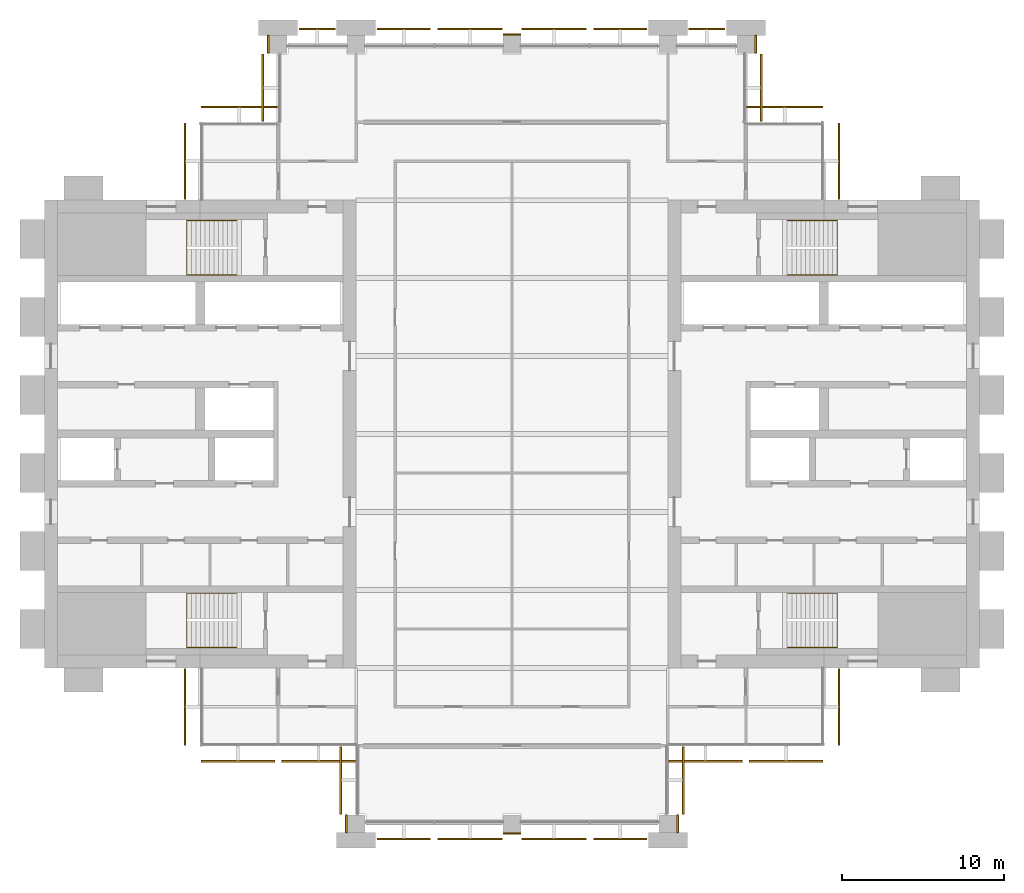
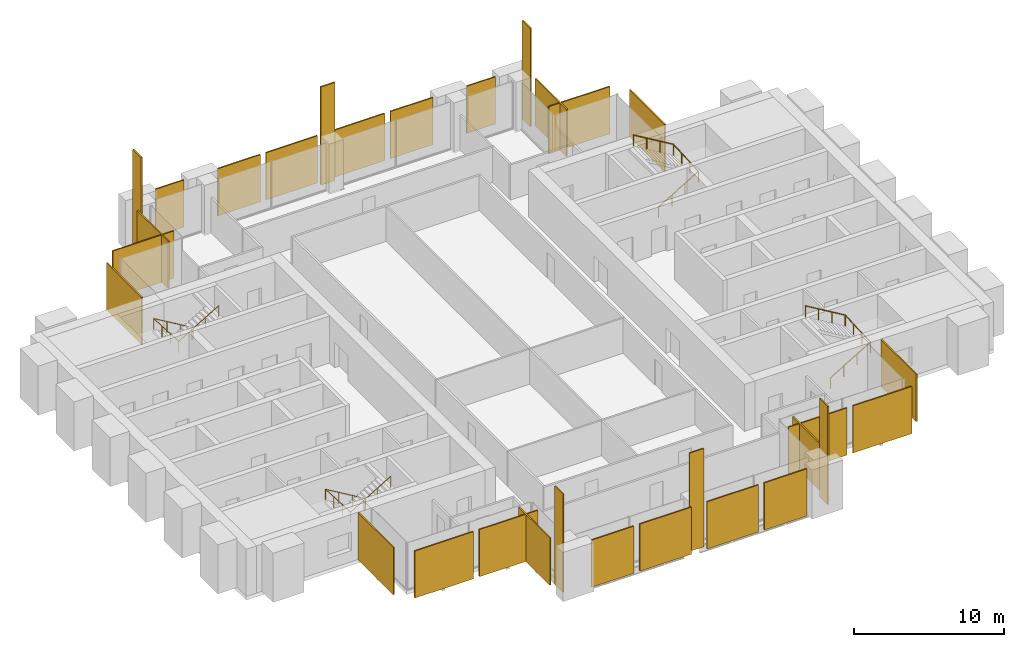
# One storey, part 13 of 13: 30 coverings, 4 railings.
"""IFC4 building model written with IfcOpenShell, lengths in metres."""

from ifc_helpers import new_model, si_unit, direction, frame, origin, origin_2d, place, context, subcontext, project, spatial, polyline, rectangle, circle, outline, extrude, material, layer, layer_set, type_object, element, save


model = new_model("IFC4")

# Units and contexts
model_context = context("Model", 3, precision=1e-05, world=origin(), true_north=direction((0.0, 1.0)))
body_context = subcontext(model_context, "Body", "Model", "MODEL_VIEW")
ifc_project = project(units=[si_unit("LENGTHUNIT", "METRE"), si_unit("AREAUNIT", "SQUARE_METRE"), si_unit("VOLUMEUNIT", "CUBIC_METRE"), si_unit("PLANEANGLEUNIT", "RADIAN"), si_unit("MASSUNIT", "GRAM", prefix="KILO")], contexts=[model_context])

# Site, building, storey
site_placement = place(None, origin())
site = spatial("IfcSite", under=ifc_project, at=site_placement, CompositionType="ELEMENT")
building_placement = place(site_placement, origin())
building = spatial("IfcBuilding", under=site, at=building_placement, Name="Baori Bourse Tower", CompositionType="ELEMENT")
storey_placement = place(building_placement, frame((0.0, 0.0, 193.199951171875)))
storey = spatial("IfcBuildingStorey", under=building, at=storey_placement, Name="L41", CompositionType="ELEMENT", Elevation=193.199951171875)

# Railings
ifc_material_1 = material(Name="Powder-coated steel balustrade", Category="steel")
railing_type = type_object("IfcRailingType", Name="Core stair handrail", PredefinedType="HANDRAIL", material=ifc_material_1)
railing_1_placement = place(storey_placement, frame((11.85009765625, 14.199951171875, 0.166748046875)))
element("IfcRailing", 1, at=railing_1_placement, inside=storey, type_object=railing_type, Name="L41 ST1 stair handrail 1", PredefinedType="HANDRAIL", context=body_context, shape_type="SweptSolid", body=[
    extrude(circle(Radius=0.02392578125, at=origin_2d()), frame((0.0, 0.0, 0.8759765625), z_axis=(-0.859308565015, 0.0, 0.511457515432), x_axis=(0.0, -1.0, 0.0)), (0.0, 0.0, 1.0), 3.58447265625),
    extrude(circle(Radius=0.02392578125, at=origin_2d()), frame((-3.080078125, 0.0, 2.708984375), z_axis=(0.0, -0.998763387249, 0.04971615724), x_axis=(1.0, 0.0, 0.0)), (0.0, 0.0, 1.0), 3.35400390625),
    extrude(circle(Radius=0.02392578125, at=origin_2d()), frame((-3.080078125, -3.349853515625, 2.8759765625), z_axis=(0.859308565015, 0.0, 0.511457515432), x_axis=(0.0, 1.0, 0.0)), (0.0, 0.0, 1.0), 3.58447265625),
    extrude(circle(Radius=0.02099609375, at=origin_2d()), origin(), (0.0, 0.0, 1.0), 0.851806640625),
    extrude(circle(Radius=0.02099609375, at=origin_2d()), frame((-1.026611328125, 0.0, 0.611083984375)), (0.0, 0.0, 1.0), 0.851806640625),
    extrude(circle(Radius=0.02099609375, at=origin_2d()), frame((-2.053466796875, 0.0, 1.22216796875)), (0.0, 0.0, 1.0), 0.851806640625),
    extrude(circle(Radius=0.02099609375, at=origin_2d()), frame((-3.080078125, 0.0, 1.833251953125)), (0.0, 0.0, 1.0), 0.851806640625),
    extrude(circle(Radius=0.02099609375, at=origin_2d()), frame((-3.080078125, -1.11669921875, 1.888916015625)), (0.0, 0.0, 1.0), 0.851806640625),
    extrude(circle(Radius=0.02099609375, at=origin_2d()), frame((-3.080078125, -2.233154296875, 1.9443359375)), (0.0, 0.0, 1.0), 0.851806640625),
    extrude(circle(Radius=0.02099609375, at=origin_2d()), frame((-3.080078125, -3.349853515625, 2.0)), (0.0, 0.0, 1.0), 0.851806640625),
    extrude(circle(Radius=0.02099609375, at=origin_2d()), frame((-2.053466796875, -3.349853515625, 2.611083984375)), (0.0, 0.0, 1.0), 0.851806640625),
    extrude(circle(Radius=0.02099609375, at=origin_2d()), frame((-1.026611328125, -3.349853515625, 3.22216796875)), (0.0, 0.0, 1.0), 0.851806640625),
    extrude(circle(Radius=0.02099609375, at=origin_2d()), frame((0.0, -3.349853515625, 3.833251953125)), (0.0, 0.0, 1.0), 0.851806640625),
])
railing_2_placement = place(storey_placement, frame((11.85009765625, 37.14990234375, 0.166748046875)))
element("IfcRailing", 2, at=railing_2_placement, inside=storey, type_object=railing_type, Name="L41 ST2 stair handrail 1", PredefinedType="HANDRAIL", context=body_context, shape_type="SweptSolid", body=[
    extrude(circle(Radius=0.02392578125, at=origin_2d()), frame((0.0, 0.0, 0.8759765625), z_axis=(-0.859308565015, 0.0, 0.511457515432), x_axis=(0.0, -1.0, 0.0)), (0.0, 0.0, 1.0), 3.58447265625),
    extrude(circle(Radius=0.02392578125, at=origin_2d()), frame((-3.080078125, 0.0, 2.708984375), z_axis=(0.0, -0.998763387249, 0.04971615724), x_axis=(1.0, 0.0, 0.0)), (0.0, 0.0, 1.0), 3.35400390625),
    extrude(circle(Radius=0.02392578125, at=origin_2d()), frame((-3.080078125, -3.349853515625, 2.8759765625), z_axis=(0.859308565015, 0.0, 0.511457515432), x_axis=(0.0, 1.0, 0.0)), (0.0, 0.0, 1.0), 3.58447265625),
    extrude(circle(Radius=0.02099609375, at=origin_2d()), origin(), (0.0, 0.0, 1.0), 0.851806640625),
    extrude(circle(Radius=0.02099609375, at=origin_2d()), frame((-1.026611328125, 0.0, 0.611083984375)), (0.0, 0.0, 1.0), 0.851806640625),
    extrude(circle(Radius=0.02099609375, at=origin_2d()), frame((-2.053466796875, 0.0, 1.22216796875)), (0.0, 0.0, 1.0), 0.851806640625),
    extrude(circle(Radius=0.02099609375, at=origin_2d()), frame((-3.080078125, 0.0, 1.833251953125)), (0.0, 0.0, 1.0), 0.851806640625),
    extrude(circle(Radius=0.02099609375, at=origin_2d()), frame((-3.080078125, -1.11669921875, 1.888916015625)), (0.0, 0.0, 1.0), 0.851806640625),
    extrude(circle(Radius=0.02099609375, at=origin_2d()), frame((-3.080078125, -2.233154296875, 1.9443359375)), (0.0, 0.0, 1.0), 0.851806640625),
    extrude(circle(Radius=0.02099609375, at=origin_2d()), frame((-3.080078125, -3.349853515625, 2.0)), (0.0, 0.0, 1.0), 0.851806640625),
    extrude(circle(Radius=0.02099609375, at=origin_2d()), frame((-2.053466796875, -3.349853515625, 2.611083984375)), (0.0, 0.0, 1.0), 0.851806640625),
    extrude(circle(Radius=0.02099609375, at=origin_2d()), frame((-1.026611328125, -3.349853515625, 3.22216796875)), (0.0, 0.0, 1.0), 0.851806640625),
    extrude(circle(Radius=0.02099609375, at=origin_2d()), frame((0.0, -3.349853515625, 3.833251953125)), (0.0, 0.0, 1.0), 0.851806640625),
])
railing_3_placement = place(storey_placement, frame((45.75, 10.85009765625, 0.166748046875)))
element("IfcRailing", 3, at=railing_3_placement, inside=storey, type_object=railing_type, Name="L41 ST3 stair handrail 1", PredefinedType="HANDRAIL", context=body_context, shape_type="SweptSolid", body=[
    extrude(circle(Radius=0.02392578125, at=origin_2d()), frame((0.0, 0.0, 0.8759765625), z_axis=(0.859308565015, 0.0, 0.511457515432), x_axis=(0.0, 1.0, 0.0)), (0.0, 0.0, 1.0), 3.58447265625),
    extrude(circle(Radius=0.02392578125, at=origin_2d()), frame((3.080078125, 0.0, 2.708984375), z_axis=(0.0, 0.998763387249, 0.04971615724), x_axis=(-1.0, 0.0, 0.0)), (0.0, 0.0, 1.0), 3.35400390625),
    extrude(circle(Radius=0.02392578125, at=origin_2d()), frame((3.080078125, 3.349853515625, 2.8759765625), z_axis=(-0.859308565015, 0.0, 0.511457515432), x_axis=(0.0, -1.0, 0.0)), (0.0, 0.0, 1.0), 3.58447265625),
    extrude(circle(Radius=0.02099609375, at=origin_2d()), origin(), (0.0, 0.0, 1.0), 0.851806640625),
    extrude(circle(Radius=0.02099609375, at=origin_2d()), frame((1.026611328125, 0.0, 0.611083984375)), (0.0, 0.0, 1.0), 0.851806640625),
    extrude(circle(Radius=0.02099609375, at=origin_2d()), frame((2.053466796875, 0.0, 1.22216796875)), (0.0, 0.0, 1.0), 0.851806640625),
    extrude(circle(Radius=0.02099609375, at=origin_2d()), frame((3.080078125, 0.0, 1.833251953125)), (0.0, 0.0, 1.0), 0.851806640625),
    extrude(circle(Radius=0.02099609375, at=origin_2d()), frame((3.080078125, 1.11669921875, 1.888916015625)), (0.0, 0.0, 1.0), 0.851806640625),
    extrude(circle(Radius=0.02099609375, at=origin_2d()), frame((3.080078125, 2.233154296875, 1.9443359375)), (0.0, 0.0, 1.0), 0.851806640625),
    extrude(circle(Radius=0.02099609375, at=origin_2d()), frame((3.080078125, 3.349853515625, 2.0)), (0.0, 0.0, 1.0), 0.851806640625),
    extrude(circle(Radius=0.02099609375, at=origin_2d()), frame((2.053466796875, 3.349853515625, 2.611083984375)), (0.0, 0.0, 1.0), 0.851806640625),
    extrude(circle(Radius=0.02099609375, at=origin_2d()), frame((1.026611328125, 3.349853515625, 3.22216796875)), (0.0, 0.0, 1.0), 0.851806640625),
    extrude(circle(Radius=0.02099609375, at=origin_2d()), frame((0.0, 3.349853515625, 3.833251953125)), (0.0, 0.0, 1.0), 0.851806640625),
])
railing_4_placement = place(storey_placement, frame((45.75, 33.800048828125, 0.166748046875)))
element("IfcRailing", 4, at=railing_4_placement, inside=storey, type_object=railing_type, Name="L41 ST4 stair handrail 1", PredefinedType="HANDRAIL", context=body_context, shape_type="SweptSolid", body=[
    extrude(circle(Radius=0.02392578125, at=origin_2d()), frame((0.0, 0.0, 0.8759765625), z_axis=(0.859308565015, 0.0, 0.511457515432), x_axis=(0.0, 1.0, 0.0)), (0.0, 0.0, 1.0), 3.58447265625),
    extrude(circle(Radius=0.02392578125, at=origin_2d()), frame((3.080078125, 0.0, 2.708984375), z_axis=(0.0, 0.998763387249, 0.04971615724), x_axis=(-1.0, 0.0, 0.0)), (0.0, 0.0, 1.0), 3.35400390625),
    extrude(circle(Radius=0.02392578125, at=origin_2d()), frame((3.080078125, 3.349853515625, 2.8759765625), z_axis=(-0.859308565015, 0.0, 0.511457515432), x_axis=(0.0, -1.0, 0.0)), (0.0, 0.0, 1.0), 3.58447265625),
    extrude(circle(Radius=0.02099609375, at=origin_2d()), origin(), (0.0, 0.0, 1.0), 0.851806640625),
    extrude(circle(Radius=0.02099609375, at=origin_2d()), frame((1.026611328125, 0.0, 0.611083984375)), (0.0, 0.0, 1.0), 0.851806640625),
    extrude(circle(Radius=0.02099609375, at=origin_2d()), frame((2.053466796875, 0.0, 1.22216796875)), (0.0, 0.0, 1.0), 0.851806640625),
    extrude(circle(Radius=0.02099609375, at=origin_2d()), frame((3.080078125, 0.0, 1.833251953125)), (0.0, 0.0, 1.0), 0.851806640625),
    extrude(circle(Radius=0.02099609375, at=origin_2d()), frame((3.080078125, 1.11669921875, 1.888916015625)), (0.0, 0.0, 1.0), 0.851806640625),
    extrude(circle(Radius=0.02099609375, at=origin_2d()), frame((3.080078125, 2.233154296875, 1.9443359375)), (0.0, 0.0, 1.0), 0.851806640625),
    extrude(circle(Radius=0.02099609375, at=origin_2d()), frame((3.080078125, 3.349853515625, 2.0)), (0.0, 0.0, 1.0), 0.851806640625),
    extrude(circle(Radius=0.02099609375, at=origin_2d()), frame((2.053466796875, 3.349853515625, 2.611083984375)), (0.0, 0.0, 1.0), 0.851806640625),
    extrude(circle(Radius=0.02099609375, at=origin_2d()), frame((1.026611328125, 3.349853515625, 3.22216796875)), (0.0, 0.0, 1.0), 0.851806640625),
    extrude(circle(Radius=0.02099609375, at=origin_2d()), frame((0.0, 3.349853515625, 3.833251953125)), (0.0, 0.0, 1.0), 0.851806640625),
])

# Coverings
ifc_material_2 = material(Name="Pale anodised aluminium", Category="aluminium")
ifc_layer_1 = layer(ifc_material_2, 0.10009765625)
ifc_layer_set_1 = layer_set([ifc_layer_1], Name="OS3 Outer skin screen panel")
covering_type_1 = type_object("IfcCoveringType", Name="OS3 Outer skin screen panel", PredefinedType="CLADDING", material=ifc_layer_set_1)
covering_1_placement = place(storey_placement, origin())
element("IfcCovering", 5, at=covering_1_placement, inside=storey, type_object=covering_type_1, Name="Outer skin screen L41 1", PredefinedType="CLADDING", context=body_context, shape_type="SweptSolid", body=[
    extrude(outline(polyline([(48.89990234375, 43.14990234375), (48.89990234375, 38.449951171875), (49.0, 38.449951171875), (49.0, 43.14990234375), (48.89990234375, 43.14990234375)])), origin(), (0.0, 0.0, 1.0), 3.840087890625),
])
covering_2_placement = place(storey_placement, origin())
element("IfcCovering", 6, at=covering_2_placement, inside=storey, type_object=covering_type_1, Name="Outer skin screen L41 2", PredefinedType="CLADDING", context=body_context, shape_type="SweptSolid", body=[
    extrude(outline(polyline([(43.25, 44.10009765625), (47.949951171875, 44.10009765625), (47.949951171875, 44.199951171875), (43.25, 44.199951171875), (43.25, 44.10009765625)])), origin(), (0.0, 0.0, 1.0), 3.840087890625),
])
covering_3_placement = place(storey_placement, origin())
element("IfcCovering", 7, at=covering_3_placement, inside=storey, type_object=covering_type_1, Name="Outer skin screen L41 3", PredefinedType="CLADDING", context=body_context, shape_type="SweptSolid", body=[
    extrude(outline(polyline([(44.10009765625, 47.39990234375), (44.10009765625, 43.25), (44.199951171875, 43.25), (44.199951171875, 47.39990234375), (44.10009765625, 47.39990234375)])), origin(), (0.0, 0.0, 1.0), 3.840087890625),
])
covering_4_placement = place(storey_placement, origin())
element("IfcCovering", 8, at=covering_4_placement, inside=storey, type_object=covering_type_1, Name="Outer skin screen L41 4", PredefinedType="CLADDING", context=body_context, shape_type="SweptSolid", body=[
    extrude(outline(polyline([(39.699951171875, 48.89990234375), (41.89990234375, 48.89990234375), (41.89990234375, 49.0), (39.699951171875, 49.0), (39.699951171875, 48.89990234375)])), origin(), (0.0, 0.0, 1.0), 3.840087890625),
])
covering_5_placement = place(storey_placement, origin())
element("IfcCovering", 9, at=covering_5_placement, inside=storey, type_object=covering_type_1, Name="Outer skin screen L41 5", PredefinedType="CLADDING", context=body_context, shape_type="SweptSolid", body=[
    extrude(outline(polyline([(33.824951171875, 48.89990234375), (37.10009765625, 48.89990234375), (37.10009765625, 49.0), (33.824951171875, 49.0), (33.824951171875, 48.89990234375)])), origin(), (0.0, 0.0, 1.0), 3.840087890625),
])
covering_6_placement = place(storey_placement, origin())
element("IfcCovering", 10, at=covering_6_placement, inside=storey, type_object=covering_type_1, Name="Outer skin screen L41 6", PredefinedType="CLADDING", context=body_context, shape_type="SweptSolid", body=[
    extrude(outline(polyline([(29.39990234375, 48.89990234375), (33.375, 48.89990234375), (33.375, 49.0), (29.39990234375, 49.0), (29.39990234375, 48.89990234375)])), origin(), (0.0, 0.0, 1.0), 3.840087890625),
])
covering_7_placement = place(storey_placement, origin())
element("IfcCovering", 11, at=covering_7_placement, inside=storey, type_object=covering_type_1, Name="Outer skin screen L41 7", PredefinedType="CLADDING", context=body_context, shape_type="SweptSolid", body=[
    extrude(outline(polyline([(24.22509765625, 48.89990234375), (28.199951171875, 48.89990234375), (28.199951171875, 49.0), (24.22509765625, 49.0), (24.22509765625, 48.89990234375)])), origin(), (0.0, 0.0, 1.0), 3.840087890625),
])
covering_8_placement = place(storey_placement, origin())
element("IfcCovering", 12, at=covering_8_placement, inside=storey, type_object=covering_type_1, Name="Outer skin screen L41 8", PredefinedType="CLADDING", context=body_context, shape_type="SweptSolid", body=[
    extrude(outline(polyline([(20.5, 48.89990234375), (23.77490234375, 48.89990234375), (23.77490234375, 49.0), (20.5, 49.0), (20.5, 48.89990234375)])), origin(), (0.0, 0.0, 1.0), 3.840087890625),
])
covering_9_placement = place(storey_placement, origin())
element("IfcCovering", 13, at=covering_9_placement, inside=storey, type_object=covering_type_1, Name="Outer skin screen L41 9", PredefinedType="CLADDING", context=body_context, shape_type="SweptSolid", body=[
    extrude(outline(polyline([(15.699951171875, 48.89990234375), (17.89990234375, 48.89990234375), (17.89990234375, 49.0), (15.699951171875, 49.0), (15.699951171875, 48.89990234375)])), origin(), (0.0, 0.0, 1.0), 3.840087890625),
])
covering_10_placement = place(storey_placement, origin())
element("IfcCovering", 14, at=covering_10_placement, inside=storey, type_object=covering_type_1, Name="Outer skin screen L41 10", PredefinedType="CLADDING", context=body_context, shape_type="SweptSolid", body=[
    extrude(outline(polyline([(13.5, 43.25), (13.5, 47.39990234375), (13.39990234375, 47.39990234375), (13.39990234375, 43.25), (13.5, 43.25)])), origin(), (0.0, 0.0, 1.0), 3.840087890625),
])
covering_11_placement = place(storey_placement, origin())
element("IfcCovering", 15, at=covering_11_placement, inside=storey, type_object=covering_type_1, Name="Outer skin screen L41 11", PredefinedType="CLADDING", context=body_context, shape_type="SweptSolid", body=[
    extrude(outline(polyline([(9.64990234375, 44.10009765625), (14.35009765625, 44.10009765625), (14.35009765625, 44.199951171875), (9.64990234375, 44.199951171875), (9.64990234375, 44.10009765625)])), origin(), (0.0, 0.0, 1.0), 3.840087890625),
])
covering_12_placement = place(storey_placement, origin())
element("IfcCovering", 16, at=covering_12_placement, inside=storey, type_object=covering_type_1, Name="Outer skin screen L41 12", PredefinedType="CLADDING", context=body_context, shape_type="SweptSolid", body=[
    extrude(outline(polyline([(8.699951171875, 38.449951171875), (8.699951171875, 43.14990234375), (8.60009765625, 43.14990234375), (8.60009765625, 38.449951171875), (8.699951171875, 38.449951171875)])), origin(), (0.0, 0.0, 1.0), 3.840087890625),
])
covering_13_placement = place(storey_placement, origin())
element("IfcCovering", 17, at=covering_13_placement, inside=storey, type_object=covering_type_1, Name="Outer skin screen L41 13", PredefinedType="CLADDING", context=body_context, shape_type="SweptSolid", body=[
    extrude(outline(polyline([(8.699951171875, 4.85009765625), (8.699951171875, 9.550048828125), (8.60009765625, 9.550048828125), (8.60009765625, 4.85009765625), (8.699951171875, 4.85009765625)])), origin(), (0.0, 0.0, 1.0), 3.840087890625),
])
covering_14_placement = place(storey_placement, origin())
element("IfcCovering", 18, at=covering_14_placement, inside=storey, type_object=covering_type_1, Name="Outer skin screen L41 14", PredefinedType="CLADDING", context=body_context, shape_type="SweptSolid", body=[
    extrude(outline(polyline([(14.175048828125, 3.89990234375), (9.64990234375, 3.89990234375), (9.64990234375, 3.800048828125), (14.175048828125, 3.800048828125), (14.175048828125, 3.89990234375)])), origin(), (0.0, 0.0, 1.0), 3.840087890625),
])
covering_15_placement = place(storey_placement, origin())
element("IfcCovering", 19, at=covering_15_placement, inside=storey, type_object=covering_type_1, Name="Outer skin screen L41 15", PredefinedType="CLADDING", context=body_context, shape_type="SweptSolid", body=[
    extrude(outline(polyline([(19.14990234375, 3.89990234375), (14.625, 3.89990234375), (14.625, 3.800048828125), (19.14990234375, 3.800048828125), (19.14990234375, 3.89990234375)])), origin(), (0.0, 0.0, 1.0), 3.840087890625),
])
covering_16_placement = place(storey_placement, origin())
element("IfcCovering", 20, at=covering_16_placement, inside=storey, type_object=covering_type_1, Name="Outer skin screen L41 16", PredefinedType="CLADDING", context=body_context, shape_type="SweptSolid", body=[
    extrude(outline(polyline([(18.300048828125, 0.60009765625), (18.300048828125, 4.75), (18.199951171875, 4.75), (18.199951171875, 0.60009765625), (18.300048828125, 0.60009765625)])), origin(), (0.0, 0.0, 1.0), 3.840087890625),
])
covering_17_placement = place(storey_placement, origin())
element("IfcCovering", 21, at=covering_17_placement, inside=storey, type_object=covering_type_1, Name="Outer skin screen L41 17", PredefinedType="CLADDING", context=body_context, shape_type="SweptSolid", body=[
    extrude(outline(polyline([(23.77490234375, -0.89990234375), (20.5, -0.89990234375), (20.5, -1.0), (23.77490234375, -1.0), (23.77490234375, -0.89990234375)])), origin(), (0.0, 0.0, 1.0), 3.840087890625),
])
covering_18_placement = place(storey_placement, origin())
element("IfcCovering", 22, at=covering_18_placement, inside=storey, type_object=covering_type_1, Name="Outer skin screen L41 18", PredefinedType="CLADDING", context=body_context, shape_type="SweptSolid", body=[
    extrude(outline(polyline([(28.199951171875, -0.89990234375), (24.22509765625, -0.89990234375), (24.22509765625, -1.0), (28.199951171875, -1.0), (28.199951171875, -0.89990234375)])), origin(), (0.0, 0.0, 1.0), 3.840087890625),
])
covering_19_placement = place(storey_placement, origin())
element("IfcCovering", 23, at=covering_19_placement, inside=storey, type_object=covering_type_1, Name="Outer skin screen L41 19", PredefinedType="CLADDING", context=body_context, shape_type="SweptSolid", body=[
    extrude(outline(polyline([(33.375, -0.89990234375), (29.39990234375, -0.89990234375), (29.39990234375, -1.0), (33.375, -1.0), (33.375, -0.89990234375)])), origin(), (0.0, 0.0, 1.0), 3.840087890625),
])
covering_20_placement = place(storey_placement, origin())
element("IfcCovering", 24, at=covering_20_placement, inside=storey, type_object=covering_type_1, Name="Outer skin screen L41 20", PredefinedType="CLADDING", context=body_context, shape_type="SweptSolid", body=[
    extrude(outline(polyline([(37.10009765625, -0.89990234375), (33.824951171875, -0.89990234375), (33.824951171875, -1.0), (37.10009765625, -1.0), (37.10009765625, -0.89990234375)])), origin(), (0.0, 0.0, 1.0), 3.840087890625),
])
covering_21_placement = place(storey_placement, origin())
element("IfcCovering", 25, at=covering_21_placement, inside=storey, type_object=covering_type_1, Name="Outer skin screen L41 21", PredefinedType="CLADDING", context=body_context, shape_type="SweptSolid", body=[
    extrude(outline(polyline([(39.300048828125, 4.75), (39.300048828125, 0.60009765625), (39.39990234375, 0.60009765625), (39.39990234375, 4.75), (39.300048828125, 4.75)])), origin(), (0.0, 0.0, 1.0), 3.840087890625),
])
covering_22_placement = place(storey_placement, origin())
element("IfcCovering", 26, at=covering_22_placement, inside=storey, type_object=covering_type_1, Name="Outer skin screen L41 22", PredefinedType="CLADDING", context=body_context, shape_type="SweptSolid", body=[
    extrude(outline(polyline([(42.97509765625, 3.89990234375), (38.449951171875, 3.89990234375), (38.449951171875, 3.800048828125), (42.97509765625, 3.800048828125), (42.97509765625, 3.89990234375)])), origin(), (0.0, 0.0, 1.0), 3.840087890625),
])
covering_23_placement = place(storey_placement, origin())
element("IfcCovering", 27, at=covering_23_placement, inside=storey, type_object=covering_type_1, Name="Outer skin screen L41 23", PredefinedType="CLADDING", context=body_context, shape_type="SweptSolid", body=[
    extrude(outline(polyline([(47.949951171875, 3.89990234375), (43.425048828125, 3.89990234375), (43.425048828125, 3.800048828125), (47.949951171875, 3.800048828125), (47.949951171875, 3.89990234375)])), origin(), (0.0, 0.0, 1.0), 3.840087890625),
])
covering_24_placement = place(storey_placement, origin())
element("IfcCovering", 28, at=covering_24_placement, inside=storey, type_object=covering_type_1, Name="Outer skin screen L41 24", PredefinedType="CLADDING", context=body_context, shape_type="SweptSolid", body=[
    extrude(outline(polyline([(48.89990234375, 9.550048828125), (48.89990234375, 4.85009765625), (49.0, 4.85009765625), (49.0, 9.550048828125), (48.89990234375, 9.550048828125)])), origin(), (0.0, 0.0, 1.0), 3.840087890625),
])
ifc_material_3 = material(Name="Face brick", Category="masonry")
ifc_layer_2 = layer(ifc_material_3, 0.110107421875)
ifc_layer_set_2 = layer_set([ifc_layer_2], Name="PC1 Brick pier facing")
covering_type_2 = type_object("IfcCoveringType", Name="PC1 Brick pier facing", PredefinedType="CLADDING", material=ifc_layer_set_2)
covering_25_placement = place(storey_placement, frame((18.594970703125, 0.0, 0.0), z_axis=(0.0, 0.0, 1.0), x_axis=(1.0, 0.0, 0.0)))
element("IfcCovering", 29, at=covering_25_placement, inside=storey, type_object=covering_type_2, Name="Brick pier facing L41 1", PredefinedType="CLADDING", context=body_context, shape_type="SweptSolid", body=[
    extrude(rectangle(XDim=0.110107421875, YDim=1.10009765625, at=origin_2d()), origin(), (0.0, 0.0, 1.0), 8.0),
])
covering_26_placement = place(storey_placement, frame((28.800048828125, -0.60498046875, 0.0), z_axis=(0.0, 0.0, 1.0), x_axis=(1.0, 0.0, 0.0)))
element("IfcCovering", 30, at=covering_26_placement, inside=storey, type_object=covering_type_2, Name="Brick pier facing L41 2", PredefinedType="CLADDING", context=body_context, shape_type="SweptSolid", body=[
    extrude(rectangle(XDim=1.10009765625, YDim=0.110107421875, at=origin_2d()), origin(), (0.0, 0.0, 1.0), 8.0),
])
for number, where, z_axis, x_axis, name in (
    (31, (39.0048828125, 0.0, 0.0), (0.0, 0.0, 1.0), (1.0, 0.0, 0.0), "Brick pier facing L41 3"),
    (32, (13.794921875, 48.0, 0.0), (0.0, 0.0, 1.0), (1.0, 0.0, 0.0), "Brick pier facing L41 4"),
):
    element("IfcCovering", number, at=place(storey_placement, frame(where, z_axis=z_axis, x_axis=x_axis)), inside=storey, type_object=covering_type_2, Name=name, PredefinedType="CLADDING", context=body_context, shape_type="SweptSolid", body=[
        extrude(rectangle(XDim=0.110107421875, YDim=1.10009765625, at=origin_2d()), origin(), (0.0, 0.0, 1.0), 8.0),
    ])
covering_27_placement = place(storey_placement, frame((28.800048828125, 48.60498046875, 0.0), z_axis=(0.0, 0.0, 1.0), x_axis=(1.0, 0.0, 0.0)))
element("IfcCovering", 33, at=covering_27_placement, inside=storey, type_object=covering_type_2, Name="Brick pier facing L41 5", PredefinedType="CLADDING", context=body_context, shape_type="SweptSolid", body=[
    extrude(rectangle(XDim=1.10009765625, YDim=0.110107421875, at=origin_2d()), origin(), (0.0, 0.0, 1.0), 8.0),
])
covering_28_placement = place(storey_placement, frame((43.804931640625, 48.0, 0.0), z_axis=(0.0, 0.0, 1.0), x_axis=(1.0, 0.0, 0.0)))
element("IfcCovering", 34, at=covering_28_placement, inside=storey, type_object=covering_type_2, Name="Brick pier facing L41 6", PredefinedType="CLADDING", context=body_context, shape_type="SweptSolid", body=[
    extrude(rectangle(XDim=0.110107421875, YDim=1.10009765625, at=origin_2d()), origin(), (0.0, 0.0, 1.0), 8.0),
])

save(model, "model.ifc")
